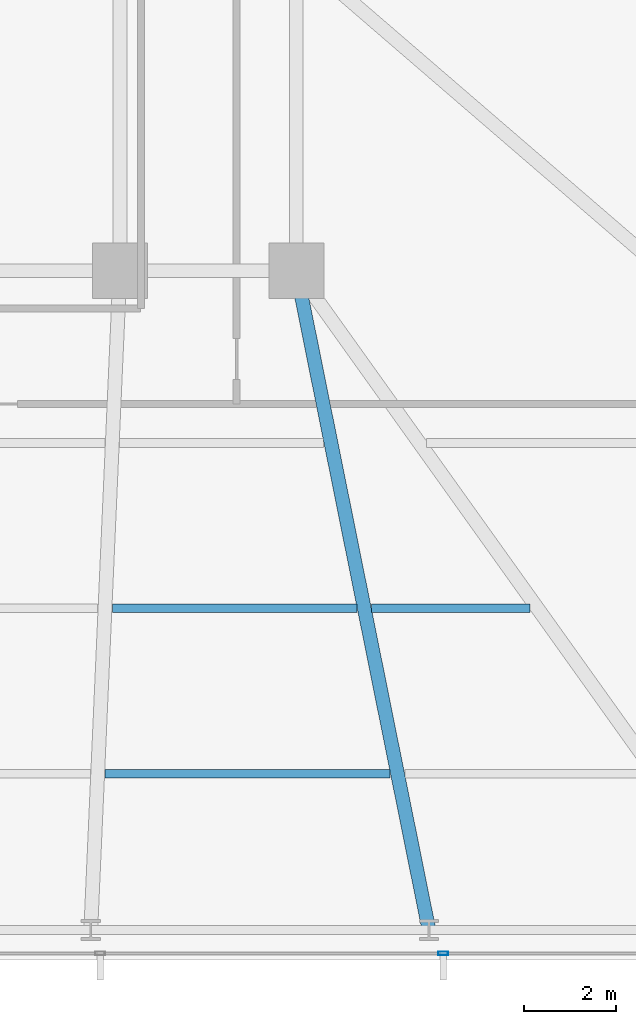
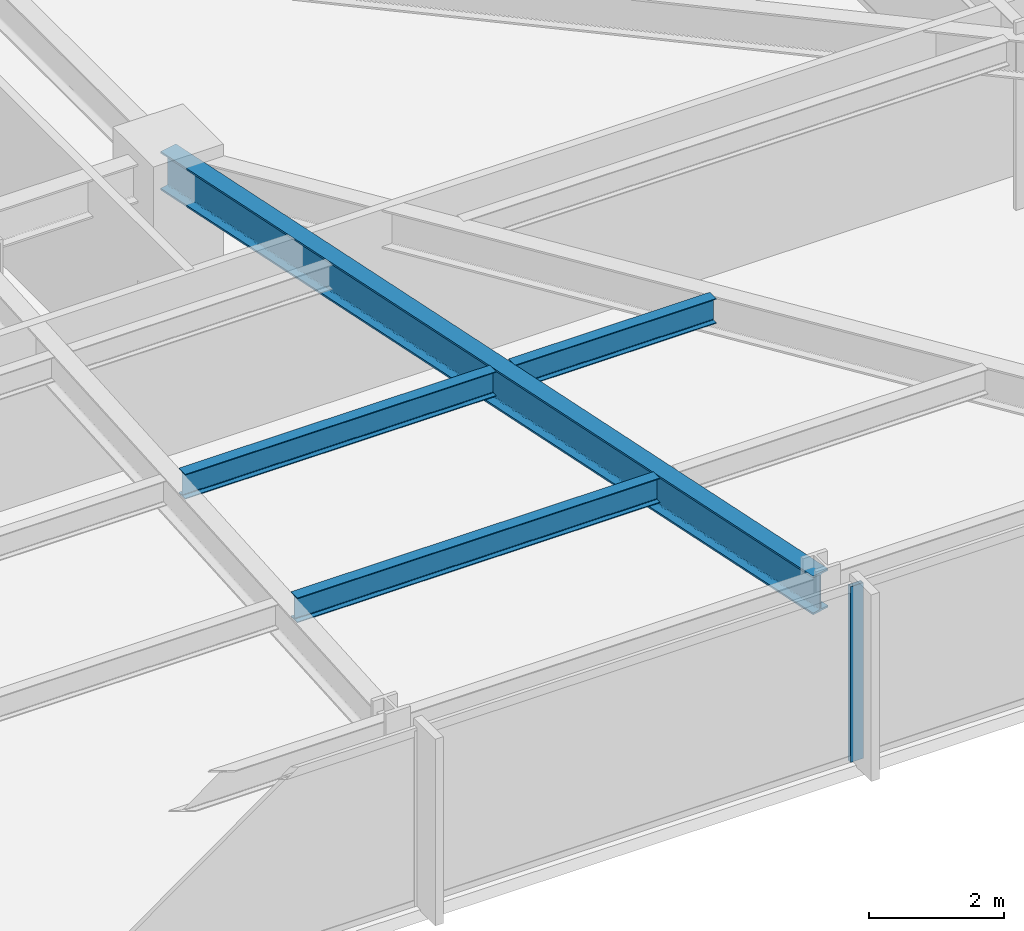
# One storey, part 14 of 32: 4 beams, 1 member, 1 element without a shape of its own.
"""IFC4 building model written with IfcOpenShell, lengths in metres."""

from ifc_helpers import new_model, si_unit, direction, frame, origin, origin_2d, place, context, subcontext, project, spatial, hollow_rectangle, i_section, extrude, material, material_profile, profile_set, type_object, element, aggregate, save


model = new_model("IFC4")

# Units and contexts
model_context = context("Model", 3, precision=1e-05, world=origin(), true_north=direction((0.0, 1.0)))
body_context = subcontext(model_context, "Body", "Model", "MODEL_VIEW")
ifc_project = project(units=[si_unit("LENGTHUNIT", "METRE"), si_unit("AREAUNIT", "SQUARE_METRE"), si_unit("VOLUMEUNIT", "CUBIC_METRE"), si_unit("PLANEANGLEUNIT", "RADIAN"), si_unit("MASSUNIT", "GRAM", prefix="KILO")], contexts=[model_context])

# Site, building, storey
site_placement = place(None, origin())
site = spatial("IfcSite", under=ifc_project, at=site_placement, CompositionType="ELEMENT")
building_placement = place(site_placement, origin())
building = spatial("IfcBuilding", under=site, at=building_placement, Name="Yelkora Congress Tower", CompositionType="ELEMENT")
storey_placement = place(building_placement, frame((0.0, 0.0, 50.800048828125)))
storey = spatial("IfcBuildingStorey", under=building, at=storey_placement, Name="L12", CompositionType="ELEMENT", Elevation=50.800048828125)

# Beams
ifc_material_1 = material(Name="Steel S355J2", Category="steel")
ifc_material_profile_1 = material_profile(ifc_material_1, i_section(OverallWidth=0.300048828125, OverallDepth=0.699951171875, WebThickness=0.01708984375, FlangeThickness=0.031982421875, FilletRadius=0.027099609375, at=origin_2d()), Name="HEB 700")
ifc_profile_set_1 = profile_set([ifc_material_profile_1], Name="Steel S355J2")
beam_type_1 = type_object("IfcBeamType", Name="BM-GIRD-HEB700", PredefinedType="BEAM", material=ifc_profile_set_1)
beam_1_placement = place(storey_placement, frame((60.487548828125, 10.85009765625, 2.829833984375), z_axis=(-0.197264295931, 0.980350344291, 0.0), x_axis=(-0.980350344291, -0.197264295931, 0.0)))
element("IfcBeam", 1, at=beam_1_placement, inside=storey, type_object=beam_type_1, Name="L12 Primary Frame Girder S08", PredefinedType="BEAM", context=body_context, shape_type="SweptSolid", body=[
    extrude(i_section(OverallWidth=0.300048828125, OverallDepth=0.699951171875, WebThickness=0.01708984375, FlangeThickness=0.031982421875, FilletRadius=0.027099609375, at=origin_2d()), origin(), (0.0, 0.0, 1.0), 14.637451171875),
])
ifc_material_profile_2 = material_profile(ifc_material_1, i_section(OverallWidth=0.18994140625, OverallDepth=0.449951171875, WebThickness=0.009521484375, FlangeThickness=0.0146484375, FilletRadius=0.02099609375, at=origin_2d()), Name="IPE 450")
ifc_profile_set_2 = profile_set([ifc_material_profile_2], Name="Steel S355J2")
beam_type_2 = type_object("IfcBeamType", Name="BM-JOIST-IPE450", PredefinedType="JOIST", material=ifc_profile_set_2)
beam_2_placement = place(storey_placement, frame((53.435546875, 14.25, 2.954833984375), z_axis=(1.0, 0.0, 0.0), x_axis=(0.0, 1.0, 0.0)))
element("IfcBeam", 2, at=beam_2_placement, inside=storey, type_object=beam_type_2, Name="L12 Composite Floor Joist 7", PredefinedType="JOIST", context=body_context, shape_type="SweptSolid", body=[
    extrude(i_section(OverallWidth=0.18994140625, OverallDepth=0.449951171875, WebThickness=0.009521484375, FlangeThickness=0.0146484375, FilletRadius=0.02099609375, at=origin_2d()), origin(), (0.0, 0.0, 1.0), 6.207763671875),
])
beam_3_placement = place(storey_placement, frame((53.5947265625, 17.85009765625, 2.954833984375), z_axis=(1.0, 0.0, 0.0), x_axis=(0.0, 1.0, 0.0)))
element("IfcBeam", 3, at=beam_3_placement, inside=storey, type_object=beam_type_2, Name="L12 Composite Floor Joist 15", PredefinedType="JOIST", context=body_context, shape_type="SweptSolid", body=[
    extrude(i_section(OverallWidth=0.18994140625, OverallDepth=0.449951171875, WebThickness=0.009521484375, FlangeThickness=0.0146484375, FilletRadius=0.02099609375, at=origin_2d()), origin(), (0.0, 0.0, 1.0), 5.32421875),
])
beam_4_placement = place(storey_placement, frame((59.239013671875, 17.85009765625, 2.954833984375), z_axis=(1.0, 0.0, 0.0), x_axis=(0.0, 1.0, 0.0)))
element("IfcBeam", 4, at=beam_4_placement, inside=storey, type_object=beam_type_2, Name="L12 Composite Floor Joist 16", PredefinedType="JOIST", context=body_context, shape_type="SweptSolid", body=[
    extrude(i_section(OverallWidth=0.18994140625, OverallDepth=0.449951171875, WebThickness=0.009521484375, FlangeThickness=0.0146484375, FilletRadius=0.02099609375, at=origin_2d()), origin(), (0.0, 0.0, 1.0), 3.450927734375),
])

# Curtain wall, member
ifc_material_2 = material(Name="Anodised aluminium and insulated glass", Category="aluminium")
curtain_wall_type = type_object("IfcCurtainWallType", Name="CW-SYS-B1", PredefinedType="NOTDEFINED", material=ifc_material_2)
curtain_wall_placement = place(storey_placement, origin())
curtain_wall = element("IfcCurtainWall", 5, at=curtain_wall_placement, inside=storey, type_object=curtain_wall_type, Name="L12 Unitised Curtain Wall 20", PredefinedType="NOTDEFINED")
ifc_material_3 = material(Name="Anodised aluminium 6063-T6", Category="aluminium")
ifc_material_profile_3 = material_profile(ifc_material_3, hollow_rectangle(XDim=0.074951171875, YDim=0.219970703125, WallThickness=0.0048828125, at=origin_2d()), Name="ALU 75x220x5")
ifc_profile_set_3 = profile_set([ifc_material_profile_3], Name="Anodised aluminium 6063-T6")
member_type = type_object("IfcMemberType", Name="MEM-ML-B1", PredefinedType="MULLION", material=ifc_profile_set_3)
member_placement = place(storey_placement, frame((60.794921875, 10.340087890625, 0.0), z_axis=(0.0, 0.0, 1.0), x_axis=(0.0, -1.0, 0.0)))
member = element("IfcMember", 6, at=member_placement, type_object=member_type, Name="CW-B1 mullion 2", PredefinedType="MULLION", context=body_context, shape_type="SweptSolid", body=[
    extrude(hollow_rectangle(XDim=0.074951171875, YDim=0.219970703125, WallThickness=0.0048828125, at=origin_2d()), origin(), (0.0, 0.0, 1.0), 3.179931640625),
])
aggregate(curtain_wall, [member])

save(model, "model.ifc")
